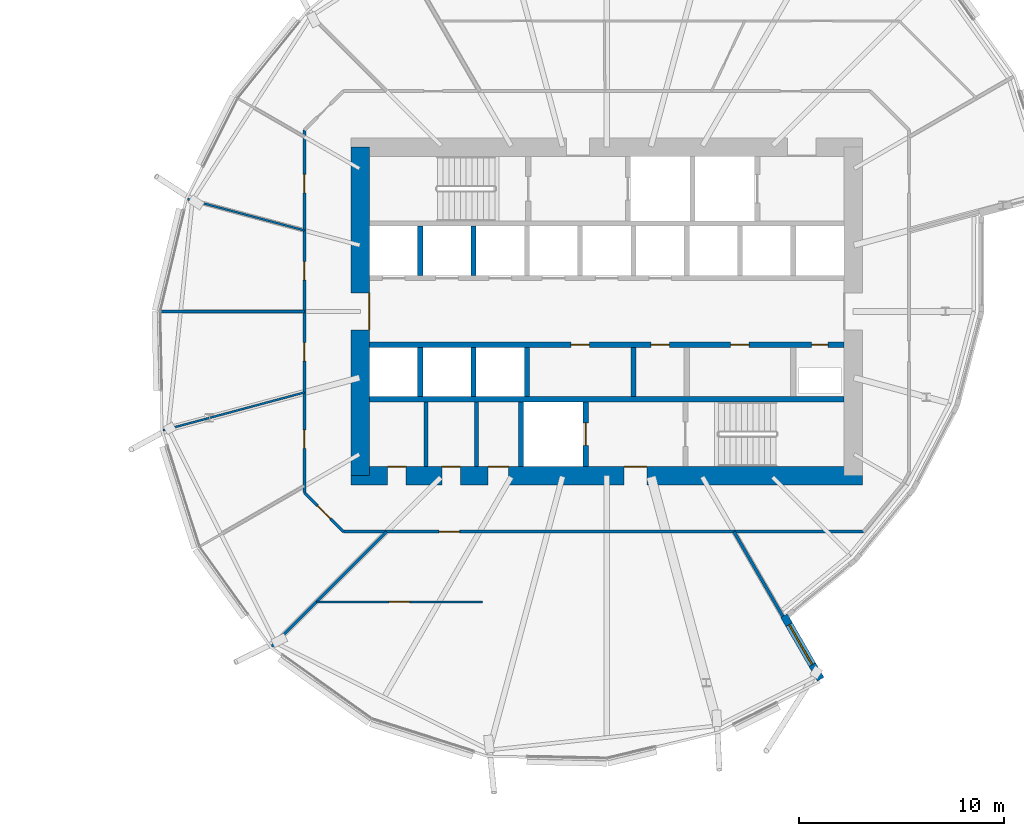
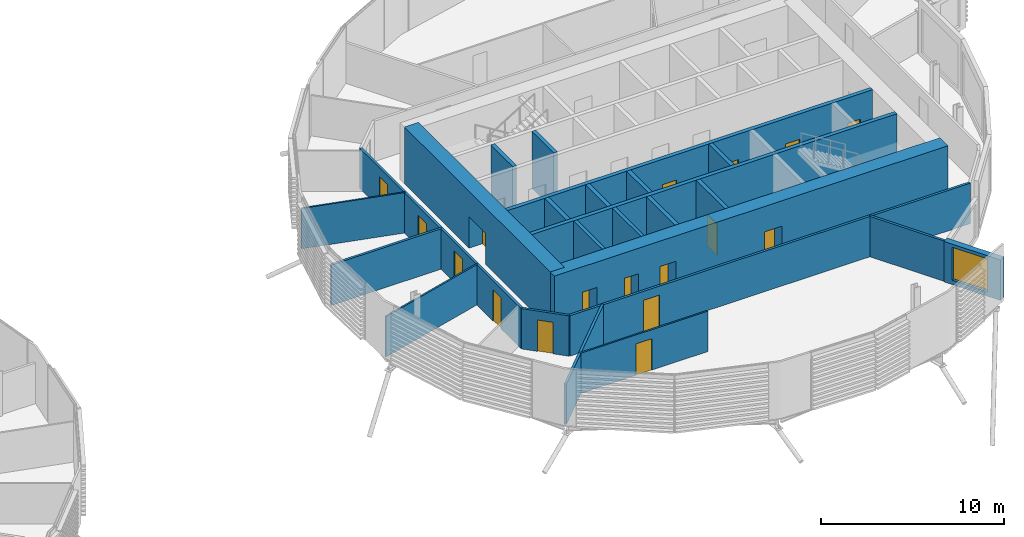
# One storey, part 24 of 38: 24 walls, 17 doors, 1 window, 18 openings.
"""IFC4 building model written with IfcOpenShell, lengths in metres."""

from ifc_helpers import new_model, si_unit, direction, frame, frame_2d, origin, place, context, subcontext, project, spatial, rectangle, extrude, material, layer, layer_set, type_object, element, fill, save


model = new_model("IFC4")

# Units and contexts
model_context = context("Model", 3, precision=1e-05, world=origin(), true_north=direction((0.0, 1.0)))
body_context = subcontext(model_context, "Body", "Model", "MODEL_VIEW")
ifc_project = project(units=[si_unit("LENGTHUNIT", "METRE"), si_unit("AREAUNIT", "SQUARE_METRE"), si_unit("VOLUMEUNIT", "CUBIC_METRE"), si_unit("PLANEANGLEUNIT", "RADIAN"), si_unit("MASSUNIT", "GRAM", prefix="KILO")], contexts=[model_context])

# Site, building, storey
site_placement = place(None, origin())
site = spatial("IfcSite", under=ifc_project, at=site_placement, CompositionType="ELEMENT")
building_placement = place(site_placement, origin())
building = spatial("IfcBuilding", under=site, at=building_placement, Name="Rimbun Link Towers", CompositionType="ELEMENT")
storey_placement = place(building_placement, frame((0.0, 0.0, 56.60009765625)))
storey = spatial("IfcBuildingStorey", under=building, at=storey_placement, Name="L13", CompositionType="ELEMENT", Elevation=56.60009765625)

# Wall, opening, window
ifc_material_1 = material(Name="Dark enamelled glass spandrel on insulated aluminium backpan", Category="aluminium")
ifc_layer_1 = layer(ifc_material_1, 0.3701171875)
ifc_layer_set_1 = layer_set([ifc_layer_1], Name="CS dark enamelled spandrel wall 370")
wall_type_1 = type_object("IfcWallType", Name="CS dark enamelled spandrel wall 370", PredefinedType="STANDARD", material=ifc_layer_set_1)
wall_1_placement = place(storey_placement, frame((40.37646484375, -14.8115234375, 0.0), z_axis=(0.0, 0.0, 1.0), x_axis=(0.500011709085, -0.866018643436, 0.0)))
wall_1 = element("IfcWall", 1, at=wall_1_placement, inside=storey, type_object=wall_type_1, Name="Crease spandrel wall", PredefinedType="STANDARD", context=body_context, shape_type="SweptSolid", body=[
    extrude(rectangle(XDim=3.580078125, YDim=0.3701171875, at=frame_2d((1.7900390625, 0.0))), origin(), (0.0, 0.0, 1.0), 2.71142578125),
])
opening_1_placement = place(wall_1_placement, frame((0.509033203125, 0.0, 0.300048828125)))
opening_1 = element("IfcOpeningElement", 2, at=opening_1_placement, cuts=wall_1, Name="Opening WR22H220", PredefinedType="OPENING", context=body_context, shape_type="SweptSolid", body=[
    extrude(rectangle(XDim=2.25, YDim=2.199951171875, at=frame_2d((1.125, 1.10009765625))), frame((0.0, 0.195068359375, 0.0), z_axis=(0.0, -1.0, 0.0), x_axis=(1.0, 0.0, 0.0)), (0.0, 0.0, 1.0), 0.39013671875),
])
ifc_material_2 = material(Name="Aluminium framed fixed window, dark tinted low-e glass", Category="aluminium")
window_type = type_object("IfcWindowType", Name="WR ribbon window 2250X2200", PartitioningType="SINGLE_PANEL", PredefinedType="WINDOW", material=ifc_material_2)
window_placement = place(opening_1_placement, origin())
window = element("IfcWindow", 3, at=window_placement, inside=storey, type_object=window_type, Name="Crease ribbon window", OverallHeight=2.199951171875, OverallWidth=2.25, PartitioningType="SINGLE_PANEL", PredefinedType="WINDOW", context=body_context, shape_type="SweptSolid", body=[
    extrude(rectangle(XDim=2.25, YDim=2.199951171875, at=frame_2d((1.125, 1.10009765625))), frame((0.0, 0.030029296875, 0.0), z_axis=(0.0, -1.0, 0.0), x_axis=(1.0, 0.0, 0.0)), (0.0, 0.0, 1.0), 0.06005859375),
])
fill(opening_1, window)

# Walls
ifc_material_3 = material(Name="Masonry blockwork", Category="masonry")
ifc_layer_2 = layer(ifc_material_3, 0.199951171875)
ifc_layer_set_2 = layer_set([ifc_layer_2], Name="Core partition 200")
wall_type_2 = type_object("IfcWallType", Name="Core partition 200", PredefinedType="PARTITIONING", material=ifc_layer_set_2)
for number, where, z_axis, x_axis, name in (
    (4, (22.949951171875, -4.39990234375, 0.0), (0.0, 0.0, 1.0), (0.0, -1.0, 0.0), "L13 T2 core wall C1"),
    (5, (25.39990234375, -4.39990234375, 0.0), (0.0, 0.0, 1.0), (0.0, -1.0, 0.0), "L13 T2 core wall C2"),
):
    element("IfcWall", number, at=place(storey_placement, frame(where, z_axis=z_axis, x_axis=x_axis)), inside=storey, type_object=wall_type_2, Name=name, PredefinedType="PARTITIONING", context=body_context, shape_type="SweptSolid", body=[
        extrude(rectangle(XDim=3.150146484375, YDim=0.199951171875, at=frame_2d((1.5751953125, 0.0))), origin(), (0.0, 0.0, 1.0), 3.7998046875),
    ])

# Wall, openings, doors
ifc_material_4 = material(Name="Concrete C60/75", Category="concrete")
ifc_layer_3 = layer(ifc_material_4, 0.89990234375)
ifc_layer_set_3 = layer_set([ifc_layer_3], Name="Core shear wall 900")
wall_type_3 = type_object("IfcWallType", Name="Core shear wall 900", PredefinedType="SHEAR", material=ifc_layer_set_3)
wall_2_placement = place(storey_placement, frame((19.300048828125, -8.0, 0.0), z_axis=(0.0, 0.0, 1.0), x_axis=(1.0, 0.0, 0.0)))
wall_2 = element("IfcWall", 6, at=wall_2_placement, inside=storey, type_object=wall_type_3, Name="L13 T2 core wall S", PredefinedType="SHEAR", context=body_context, shape_type="SweptSolid", body=[
    extrude(rectangle(XDim=24.89990234375, YDim=0.89990234375, at=frame_2d((12.449951171875, 0.0))), origin(), (0.0, 0.0, 1.0), 3.7998046875),
])
opening_2_placement = place(wall_2_placement, frame((13.300048828125, 0.0, 0.0)))
opening_2 = element("IfcOpeningElement", 7, at=opening_2_placement, cuts=wall_2, Name="Opening C2DCF01S", PredefinedType="OPENING", context=body_context, shape_type="SweptSolid", body=[
    extrude(rectangle(XDim=1.10009765625, YDim=2.10009765625, at=frame_2d((0.550048828125, 1.050048828125))), frame((0.0, 0.4599609375, 0.0), z_axis=(0.0, -1.0, 0.0), x_axis=(1.0, 0.0, 0.0)), (0.0, 0.0, 1.0), 0.919921875),
])
opening_3_placement = place(wall_2_placement, frame((1.77490234375, 0.0, 0.0)))
opening_3 = element("IfcOpeningElement", 8, at=opening_3_placement, cuts=wall_2, Name="Opening C2DWC02S", PredefinedType="OPENING", context=body_context, shape_type="SweptSolid", body=[
    extrude(rectangle(XDim=0.89990234375, YDim=2.10009765625, at=frame_2d((0.449951171875, 1.050048828125))), frame((0.0, 0.4599609375, 0.0), z_axis=(0.0, -1.0, 0.0), x_axis=(1.0, 0.0, 0.0)), (0.0, 0.0, 1.0), 0.919921875),
])
opening_4_placement = place(wall_2_placement, frame((4.425048828125, 0.0, 0.0)))
opening_4 = element("IfcOpeningElement", 9, at=opening_4_placement, cuts=wall_2, Name="Opening C2DWC03S", PredefinedType="OPENING", context=body_context, shape_type="SweptSolid", body=[
    extrude(rectangle(XDim=0.89990234375, YDim=2.10009765625, at=frame_2d((0.449951171875, 1.050048828125))), frame((0.0, 0.4599609375, 0.0), z_axis=(0.0, -1.0, 0.0), x_axis=(1.0, 0.0, 0.0)), (0.0, 0.0, 1.0), 0.919921875),
])
opening_5_placement = place(wall_2_placement, frame((6.675048828125, 0.0, 0.0)))
opening_5 = element("IfcOpeningElement", 10, at=opening_5_placement, cuts=wall_2, Name="Opening C2DAW04S", PredefinedType="OPENING", context=body_context, shape_type="SweptSolid", body=[
    extrude(rectangle(XDim=1.0, YDim=2.10009765625, at=frame_2d((0.5, 1.050048828125))), frame((0.0, 0.4599609375, 0.0), z_axis=(0.0, -1.0, 0.0), x_axis=(1.0, 0.0, 0.0)), (0.0, 0.0, 1.0), 0.919921875),
])
ifc_material_5 = material(Name="Timber", Category="wood")
door_type_1 = type_object("IfcDoorType", Name="Accessible WC door", OperationType="SINGLE_SWING_LEFT", PredefinedType="DOOR", material=ifc_material_5)
door_1_placement = place(opening_5_placement, origin())
door_1 = element("IfcDoor", 11, at=door_1_placement, inside=storey, type_object=door_type_1, Name="L13 T2 accessible wc door", OperationType="SINGLE_SWING_RIGHT", OverallHeight=2.10009765625, OverallWidth=1.0, PredefinedType="DOOR", context=body_context, shape_type="SweptSolid", body=[
    extrude(rectangle(XDim=1.0, YDim=2.10009765625, at=frame_2d((0.5, 1.050048828125))), frame((0.0, 0.4501953125, 0.0), z_axis=(0.0, -1.0, 0.0), x_axis=(1.0, 0.0, 0.0)), (0.0, 0.0, 1.0), 0.050048828125),
])
fill(opening_5, door_1)
ifc_material_6 = material(Name="Steel fire door set", Category="steel")
door_type_2 = type_object("IfcDoorType", Name="Core fire door single", OperationType="SINGLE_SWING_LEFT", PredefinedType="DOOR", material=ifc_material_6)
door_2_placement = place(opening_2_placement, origin())
door_2 = element("IfcDoor", 12, at=door_2_placement, inside=storey, type_object=door_type_2, Name="L13 T2 firefighting lobby s door", OperationType="SINGLE_SWING_RIGHT", OverallHeight=2.10009765625, OverallWidth=1.10009765625, PredefinedType="DOOR", context=body_context, shape_type="SweptSolid", body=[
    extrude(rectangle(XDim=1.10009765625, YDim=2.10009765625, at=frame_2d((0.550048828125, 1.050048828125))), frame((0.0, 0.4501953125, 0.0), z_axis=(0.0, -1.0, 0.0), x_axis=(1.0, 0.0, 0.0)), (0.0, 0.0, 1.0), 0.050048828125),
])
fill(opening_2, door_2)
ifc_material_7 = material(Name="Timber", Category="wood")
door_type_3 = type_object("IfcDoorType", Name="WC door", OperationType="SINGLE_SWING_LEFT", PredefinedType="DOOR", material=ifc_material_7)
door_3_placement = place(opening_3_placement, origin())
door_3 = element("IfcDoor", 13, at=door_3_placement, inside=storey, type_object=door_type_3, Name="L13 T2 male wc door", OperationType="SINGLE_SWING_RIGHT", OverallHeight=2.10009765625, OverallWidth=0.89990234375, PredefinedType="DOOR", context=body_context, shape_type="SweptSolid", body=[
    extrude(rectangle(XDim=0.89990234375, YDim=2.10009765625, at=frame_2d((0.449951171875, 1.050048828125))), frame((0.0, 0.4501953125, 0.0), z_axis=(0.0, -1.0, 0.0), x_axis=(1.0, 0.0, 0.0)), (0.0, 0.0, 1.0), 0.050048828125),
])
fill(opening_3, door_3)
door_4_placement = place(opening_4_placement, origin())
door_4 = element("IfcDoor", 14, at=door_4_placement, inside=storey, type_object=door_type_3, Name="L13 T2 female wc door", OperationType="SINGLE_SWING_LEFT", OverallHeight=2.10009765625, OverallWidth=0.89990234375, PredefinedType="DOOR", context=body_context, shape_type="SweptSolid", body=[
    extrude(rectangle(XDim=0.89990234375, YDim=2.10009765625, at=frame_2d((0.449951171875, 1.050048828125))), frame((0.0, 0.4501953125, 0.0), z_axis=(0.0, -1.0, 0.0), x_axis=(1.0, 0.0, 0.0)), (0.0, 0.0, 1.0), 0.050048828125),
])
fill(opening_4, door_4)

# Wall, opening, door
wall_3_placement = place(storey_placement, frame((19.75, -8.0, 0.0), z_axis=(0.0, 0.0, 1.0), x_axis=(0.0, 1.0, 0.0)))
wall_3 = element("IfcWall", 15, at=wall_3_placement, inside=storey, type_object=wall_type_3, Name="L13 T2 core wall W", PredefinedType="SHEAR", context=body_context, shape_type="SweptSolid", body=[
    extrude(rectangle(XDim=16.0, YDim=0.89990234375, at=frame_2d((8.0, 0.0))), origin(), (0.0, 0.0, 1.0), 3.7998046875),
])
opening_6_placement = place(wall_3_placement, frame((7.10009765625, 0.0, 0.0)))
opening_6 = element("IfcOpeningElement", 16, at=opening_6_placement, cuts=wall_3, Name="Opening C2DCL01W", PredefinedType="OPENING", context=body_context, shape_type="SweptSolid", body=[
    extrude(rectangle(XDim=1.800048828125, YDim=2.10009765625, at=frame_2d((0.89990234375, 1.050048828125))), frame((0.0, 0.4599609375, 0.0), z_axis=(0.0, -1.0, 0.0), x_axis=(1.0, 0.0, 0.0)), (0.0, 0.0, 1.0), 0.919921875),
])
ifc_material_8 = material(Name="Steel fire door set", Category="steel")
door_type_4 = type_object("IfcDoorType", Name="Core lobby door double", OperationType="DOUBLE_DOOR_SINGLE_SWING", PredefinedType="DOOR", material=ifc_material_8)
door_5_placement = place(opening_6_placement, origin())
door_5 = element("IfcDoor", 17, at=door_5_placement, inside=storey, type_object=door_type_4, Name="L13 T2 lift lobby door", OperationType="DOUBLE_DOOR_SINGLE_SWING", OverallHeight=2.10009765625, OverallWidth=1.800048828125, PredefinedType="DOOR", context=body_context, shape_type="SweptSolid", body=[
    extrude(rectangle(XDim=1.800048828125, YDim=2.10009765625, at=frame_2d((0.89990234375, 1.050048828125))), frame((0.0, -0.39990234375, 0.0), z_axis=(0.0, -1.0, 0.0), x_axis=(1.0, 0.0, 0.0)), (0.0, 0.0, 1.0), 0.050048828125),
])
fill(opening_6, door_5)

ifc_material_9 = material(Name="Plasterboard on steel stud, mineral wool", Category="steel")
ifc_layer_4 = layer(ifc_material_9, 0.14990234375)
ifc_layer_set_4 = layer_set([ifc_layer_4], Name="Corridor wall EI 30 150 mm")
wall_type_4 = type_object("IfcWallType", Name="Corridor wall EI 30 150 mm", PredefinedType="PARTITIONING", material=ifc_layer_set_4)
wall_4_placement = place(storey_placement, frame((44.248779296875, -10.72509765625, 0.0), z_axis=(0.0, 0.0, 1.0), x_axis=(-1.0, 0.0, 0.0)))
wall_4 = element("IfcWall", 18, at=wall_4_placement, inside=storey, type_object=wall_type_4, Name="Corridor wall EI 30 150 mm", PredefinedType="PARTITIONING", context=body_context, shape_type="SweptSolid", body=[
    extrude(rectangle(XDim=25.325439453125, YDim=0.14990234375, at=frame_2d((12.66259765625, 0.0))), origin(), (0.0, 0.0, 1.0), 2.701904296875),
])
opening_7_placement = place(wall_4_placement, frame((19.66845703125, 0.0, 0.0)))
opening_7 = element("IfcOpeningElement", 19, at=opening_7_placement, cuts=wall_4, Name="Opening D01", PredefinedType="OPENING", context=body_context, shape_type="SweptSolid", body=[
    extrude(rectangle(XDim=1.0, YDim=2.10009765625, at=frame_2d((0.5, 1.050048828125))), frame((0.0, 0.0849609375, 0.0), z_axis=(0.0, -1.0, 0.0), x_axis=(1.0, 0.0, 0.0)), (0.0, 0.0, 1.0), 0.169921875),
])
ifc_material_10 = material(Name="Fire-resisting timber door leaf", Category="wood")
door_type_5 = type_object("IfcDoorType", Name="Fire door FD30S 1000", OperationType="NOTDEFINED", PredefinedType="DOOR", material=ifc_material_10)
door_6_placement = place(opening_7_placement, origin())
door_6 = element("IfcDoor", 20, at=door_6_placement, inside=storey, type_object=door_type_5, Name="Fire door FD30S 1000 to Reception", OperationType="SINGLE_SWING_RIGHT", OverallHeight=2.10009765625, OverallWidth=1.0, PredefinedType="DOOR", context=body_context, shape_type="SweptSolid", body=[
    extrude(rectangle(XDim=1.0, YDim=2.10009765625, at=frame_2d((0.5, 1.050048828125))), frame((0.0, 0.02490234375, 0.0), z_axis=(0.0, -1.0, 0.0), x_axis=(1.0, 0.0, 0.0)), (0.0, 0.0, 1.0), 0.050048828125),
])
fill(opening_7, door_6)

wall_5_placement = place(storey_placement, frame((18.92333984375, -10.72509765625, 0.0), z_axis=(0.0, 0.0, 1.0), x_axis=(-0.707106781187, 0.707106781187, 0.0)))
wall_5 = element("IfcWall", 21, at=wall_5_placement, inside=storey, type_object=wall_type_4, Name="Corridor wall EI 30 150 mm", PredefinedType="PARTITIONING", context=body_context, shape_type="SweptSolid", body=[
    extrude(rectangle(XDim=2.684814453125, YDim=0.14990234375, at=frame_2d((1.34228515625, 0.0))), origin(), (0.0, 0.0, 1.0), 2.701904296875),
])
opening_8_placement = place(wall_5_placement, frame((0.892333984375, 0.0, 0.0)))
opening_8 = element("IfcOpeningElement", 22, at=opening_8_placement, cuts=wall_5, Name="Opening D02", PredefinedType="OPENING", context=body_context, shape_type="SweptSolid", body=[
    extrude(rectangle(XDim=0.89990234375, YDim=2.10009765625, at=frame_2d((0.449951171875, 1.050048828125))), frame((0.0, 0.0849609375, 0.0), z_axis=(0.0, -1.0, 0.0), x_axis=(1.0, 0.0, 0.0)), (0.0, 0.0, 1.0), 0.169921875),
])
ifc_material_11 = material(Name="Fire-resisting timber door leaf", Category="wood")
door_type_6 = type_object("IfcDoorType", Name="Fire door FD30S 900", OperationType="NOTDEFINED", PredefinedType="DOOR", material=ifc_material_11)
door_7_placement = place(opening_8_placement, origin())
door_7 = element("IfcDoor", 23, at=door_7_placement, inside=storey, type_object=door_type_6, Name="Fire door FD30S 900 to Meeting room", OperationType="SINGLE_SWING_LEFT", OverallHeight=2.10009765625, OverallWidth=0.89990234375, PredefinedType="DOOR", context=body_context, shape_type="SweptSolid", body=[
    extrude(rectangle(XDim=0.89990234375, YDim=2.10009765625, at=frame_2d((0.449951171875, 1.050048828125))), frame((0.0, 0.02490234375, 0.0), z_axis=(0.0, -1.0, 0.0), x_axis=(1.0, 0.0, 0.0)), (0.0, 0.0, 1.0), 0.050048828125),
])
fill(opening_8, door_7)

# Wall, openings, doors
wall_6_placement = place(storey_placement, frame((17.02490234375, -8.82666015625, 0.0), z_axis=(0.0, 0.0, 1.0), x_axis=(0.0, 1.0, 0.0)))
wall_6 = element("IfcWall", 24, at=wall_6_placement, inside=storey, type_object=wall_type_4, Name="Corridor wall EI 30 150 mm", PredefinedType="PARTITIONING", context=body_context, shape_type="SweptSolid", body=[
    extrude(rectangle(XDim=17.6533203125, YDim=0.14990234375, at=frame_2d((8.82666015625, 0.0))), origin(), (0.0, 0.0, 1.0), 2.701904296875),
])
opening_9_placement = place(wall_6_placement, frame((14.60009765625, 0.0, 0.0)))
opening_9 = element("IfcOpeningElement", 25, at=opening_9_placement, cuts=wall_6, Name="Opening D02", PredefinedType="OPENING", context=body_context, shape_type="SweptSolid", body=[
    extrude(rectangle(XDim=0.89990234375, YDim=2.10009765625, at=frame_2d((0.449951171875, 1.050048828125))), frame((0.0, 0.0849609375, 0.0), z_axis=(0.0, -1.0, 0.0), x_axis=(1.0, 0.0, 0.0)), (0.0, 0.0, 1.0), 0.169921875),
])
opening_10_placement = place(wall_6_placement, frame((10.349609375, 0.0, 0.0)))
opening_10 = element("IfcOpeningElement", 26, at=opening_10_placement, cuts=wall_6, Name="Opening D02", PredefinedType="OPENING", context=body_context, shape_type="SweptSolid", body=[
    extrude(rectangle(XDim=0.89990234375, YDim=2.10009765625, at=frame_2d((0.449951171875, 1.050048828125))), frame((0.0, 0.0849609375, 0.0), z_axis=(0.0, -1.0, 0.0), x_axis=(1.0, 0.0, 0.0)), (0.0, 0.0, 1.0), 0.169921875),
])
opening_11_placement = place(wall_6_placement, frame((6.40380859375, 0.0, 0.0)))
opening_11 = element("IfcOpeningElement", 27, at=opening_11_placement, cuts=wall_6, Name="Opening D02", PredefinedType="OPENING", context=body_context, shape_type="SweptSolid", body=[
    extrude(rectangle(XDim=0.89990234375, YDim=2.10009765625, at=frame_2d((0.449951171875, 1.050048828125))), frame((0.0, 0.0849609375, 0.0), z_axis=(0.0, -1.0, 0.0), x_axis=(1.0, 0.0, 0.0)), (0.0, 0.0, 1.0), 0.169921875),
])
opening_12_placement = place(wall_6_placement, frame((2.1533203125, 0.0, 0.0)))
opening_12 = element("IfcOpeningElement", 28, at=opening_12_placement, cuts=wall_6, Name="Opening D02", PredefinedType="OPENING", context=body_context, shape_type="SweptSolid", body=[
    extrude(rectangle(XDim=0.89990234375, YDim=2.10009765625, at=frame_2d((0.449951171875, 1.050048828125))), frame((0.0, 0.0849609375, 0.0), z_axis=(0.0, -1.0, 0.0), x_axis=(1.0, 0.0, 0.0)), (0.0, 0.0, 1.0), 0.169921875),
])
door_8_placement = place(opening_9_placement, origin())
door_8 = element("IfcDoor", 29, at=door_8_placement, inside=storey, type_object=door_type_6, Name="Fire door FD30S 900 to Cellular office", OperationType="SINGLE_SWING_LEFT", OverallHeight=2.10009765625, OverallWidth=0.89990234375, PredefinedType="DOOR", context=body_context, shape_type="SweptSolid", body=[
    extrude(rectangle(XDim=0.89990234375, YDim=2.10009765625, at=frame_2d((0.449951171875, 1.050048828125))), frame((0.0, 0.02490234375, 0.0), z_axis=(0.0, -1.0, 0.0), x_axis=(1.0, 0.0, 0.0)), (0.0, 0.0, 1.0), 0.050048828125),
])
fill(opening_9, door_8)
door_9_placement = place(opening_10_placement, origin())
door_9 = element("IfcDoor", 30, at=door_9_placement, inside=storey, type_object=door_type_6, Name="Fire door FD30S 900 to Meeting room", OperationType="SINGLE_SWING_RIGHT", OverallHeight=2.10009765625, OverallWidth=0.89990234375, PredefinedType="DOOR", context=body_context, shape_type="SweptSolid", body=[
    extrude(rectangle(XDim=0.89990234375, YDim=2.10009765625, at=frame_2d((0.449951171875, 1.050048828125))), frame((0.0, 0.02490234375, 0.0), z_axis=(0.0, -1.0, 0.0), x_axis=(1.0, 0.0, 0.0)), (0.0, 0.0, 1.0), 0.050048828125),
])
fill(opening_10, door_9)
door_10_placement = place(opening_11_placement, origin())
door_10 = element("IfcDoor", 31, at=door_10_placement, inside=storey, type_object=door_type_6, Name="Fire door FD30S 900 to Cellular office", OperationType="SINGLE_SWING_LEFT", OverallHeight=2.10009765625, OverallWidth=0.89990234375, PredefinedType="DOOR", context=body_context, shape_type="SweptSolid", body=[
    extrude(rectangle(XDim=0.89990234375, YDim=2.10009765625, at=frame_2d((0.449951171875, 1.050048828125))), frame((0.0, 0.02490234375, 0.0), z_axis=(0.0, -1.0, 0.0), x_axis=(1.0, 0.0, 0.0)), (0.0, 0.0, 1.0), 0.050048828125),
])
fill(opening_11, door_10)
door_11_placement = place(opening_12_placement, origin())
door_11 = element("IfcDoor", 32, at=door_11_placement, inside=storey, type_object=door_type_6, Name="Fire door FD30S 900 to Meeting room", OperationType="SINGLE_SWING_RIGHT", OverallHeight=2.10009765625, OverallWidth=0.89990234375, PredefinedType="DOOR", context=body_context, shape_type="SweptSolid", body=[
    extrude(rectangle(XDim=0.89990234375, YDim=2.10009765625, at=frame_2d((0.449951171875, 1.050048828125))), frame((0.0, 0.02490234375, 0.0), z_axis=(0.0, -1.0, 0.0), x_axis=(1.0, 0.0, 0.0)), (0.0, 0.0, 1.0), 0.050048828125),
])
fill(opening_12, door_11)

# Walls
ifc_material_12 = material(Name="Plasterboard on steel stud", Category="steel")
ifc_layer_5 = layer(ifc_material_12, 0.10009765625)
ifc_layer_set_5 = layer_set([ifc_layer_5], Name="Plasterboard partition 100 mm")
wall_type_5 = type_object("IfcWallType", Name="Plasterboard partition 100 mm", PredefinedType="PARTITIONING", material=ifc_layer_set_5)
wall_7_placement = place(storey_placement, frame((11.328369140625, 5.471923828125, 0.0), z_axis=(0.0, 0.0, 1.0), x_axis=(0.965926431796, -0.258816785308, 0.0)))
element("IfcWall", 33, at=wall_7_placement, inside=storey, type_object=wall_type_5, Name="Plasterboard partition 100 mm", PredefinedType="PARTITIONING", context=body_context, shape_type="SweptSolid", body=[
    extrude(rectangle(XDim=5.8974609375, YDim=0.10009765625, at=frame_2d((2.94873046875, 0.0))), origin(), (0.0, 0.0, 1.0), 2.701904296875),
])
wall_8_placement = place(storey_placement, frame((10.1416015625, -5.789794921875, 0.0), z_axis=(0.0, 0.0, 1.0), x_axis=(0.965930618531, 0.258801159551, 0.0)))
element("IfcWall", 34, at=wall_8_placement, inside=storey, type_object=wall_type_5, Name="Plasterboard partition 100 mm", PredefinedType="PARTITIONING", context=body_context, shape_type="SweptSolid", body=[
    extrude(rectangle(XDim=7.1259765625, YDim=0.10009765625, at=frame_2d((3.56298828125, 0.0))), origin(), (0.0, 0.0, 1.0), 2.701904296875),
])

# Wall, opening, door
wall_9_placement = place(storey_placement, frame((25.697021484375, -14.14501953125, 0.0), z_axis=(0.0, 0.0, 1.0), x_axis=(-1.0, 0.0, 0.0)))
wall_9 = element("IfcWall", 35, at=wall_9_placement, inside=storey, type_object=wall_type_5, Name="Plasterboard partition 100 mm", PredefinedType="PARTITIONING", context=body_context, shape_type="SweptSolid", body=[
    extrude(rectangle(XDim=8.092041015625, YDim=0.10009765625, at=frame_2d((4.0458984375, 0.0))), origin(), (0.0, 0.0, 1.0), 2.701904296875),
])
opening_13_placement = place(wall_9_placement, frame((3.5458984375, 0.0, 0.0)))
opening_13 = element("IfcOpeningElement", 36, at=opening_13_placement, cuts=wall_9, Name="Opening D03", PredefinedType="OPENING", context=body_context, shape_type="SweptSolid", body=[
    extrude(rectangle(XDim=1.0, YDim=2.10009765625, at=frame_2d((0.5, 1.050048828125))), frame((0.0, 0.06005859375, 0.0), z_axis=(0.0, -1.0, 0.0), x_axis=(1.0, 0.0, 0.0)), (0.0, 0.0, 1.0), 0.1201171875),
])
ifc_material_13 = material(Name="Timber door leaf", Category="wood")
door_type_7 = type_object("IfcDoorType", Name="Flush door 1000", OperationType="NOTDEFINED", PredefinedType="DOOR", material=ifc_material_13)
door_12_placement = place(opening_13_placement, origin())
door_12 = element("IfcDoor", 37, at=door_12_placement, inside=storey, type_object=door_type_7, Name="Flush door 1000 to Open office", OperationType="SINGLE_SWING_RIGHT", OverallHeight=2.10009765625, OverallWidth=1.0, PredefinedType="DOOR", context=body_context, shape_type="SweptSolid", body=[
    extrude(rectangle(XDim=1.0, YDim=2.10009765625, at=frame_2d((0.5, 1.050048828125))), frame((0.0, 0.02490234375, 0.0), z_axis=(0.0, -1.0, 0.0), x_axis=(1.0, 0.0, 0.0)), (0.0, 0.0, 1.0), 0.050048828125),
])
fill(opening_13, door_12)

# Wall
ifc_material_14 = material(Name="Concrete C60/75", Category="concrete")
ifc_layer_6 = layer(ifc_material_14, 0.25)
ifc_layer_set_6 = layer_set([ifc_layer_6], Name="Shaft wall 250")
wall_type_6 = type_object("IfcWallType", Name="Shaft wall 250", PredefinedType="SHEAR", material=ifc_layer_set_6)
wall_10_placement = place(storey_placement, frame((20.199951171875, -4.27490234375, 0.0), z_axis=(0.0, 0.0, 1.0), x_axis=(1.0, 0.0, 0.0)))
element("IfcWall", 38, at=wall_10_placement, inside=storey, type_object=wall_type_6, Name="L13 T2 core wall BS", PredefinedType="SHEAR", context=body_context, shape_type="SweptSolid", body=[
    extrude(rectangle(XDim=23.10009765625, YDim=0.25, at=frame_2d((11.550048828125, 0.0))), origin(), (0.0, 0.0, 1.0), 3.7998046875),
])

# Wall, openings, doors
wall_11_placement = place(storey_placement, frame((20.199951171875, -1.625, 0.0), z_axis=(0.0, 0.0, 1.0), x_axis=(1.0, 0.0, 0.0)))
wall_11 = element("IfcWall", 39, at=wall_11_placement, inside=storey, type_object=wall_type_6, Name="L13 T2 core wall FS", PredefinedType="SHEAR", context=body_context, shape_type="SweptSolid", body=[
    extrude(rectangle(XDim=23.10009765625, YDim=0.25, at=frame_2d((11.550048828125, 0.0))), origin(), (0.0, 0.0, 1.0), 3.7998046875),
])
opening_14_placement = place(wall_11_placement, frame((9.802734375, 0.0, 0.0)))
opening_14 = element("IfcOpeningElement", 40, at=opening_14_placement, cuts=wall_11, Name="Opening C2DRS01FS", PredefinedType="OPENING", context=body_context, shape_type="SweptSolid", body=[
    extrude(rectangle(XDim=0.89990234375, YDim=2.10009765625, at=frame_2d((0.449951171875, 1.050048828125))), frame((0.0, 0.135009765625, 0.0), z_axis=(0.0, -1.0, 0.0), x_axis=(1.0, 0.0, 0.0)), (0.0, 0.0, 1.0), 0.27001953125),
])
opening_15_placement = place(wall_11_placement, frame((13.6943359375, 0.0, 0.0)))
opening_15 = element("IfcOpeningElement", 41, at=opening_15_placement, cuts=wall_11, Name="Opening C2DRS02FS", PredefinedType="OPENING", context=body_context, shape_type="SweptSolid", body=[
    extrude(rectangle(XDim=0.89990234375, YDim=2.10009765625, at=frame_2d((0.449951171875, 1.050048828125))), frame((0.0, 0.135009765625, 0.0), z_axis=(0.0, -1.0, 0.0), x_axis=(1.0, 0.0, 0.0)), (0.0, 0.0, 1.0), 0.27001953125),
])
opening_16_placement = place(wall_11_placement, frame((17.586181640625, 0.0, 0.0)))
opening_16 = element("IfcOpeningElement", 42, at=opening_16_placement, cuts=wall_11, Name="Opening C2DRS03FS", PredefinedType="OPENING", context=body_context, shape_type="SweptSolid", body=[
    extrude(rectangle(XDim=0.89990234375, YDim=2.10009765625, at=frame_2d((0.449951171875, 1.050048828125))), frame((0.0, 0.135009765625, 0.0), z_axis=(0.0, -1.0, 0.0), x_axis=(1.0, 0.0, 0.0)), (0.0, 0.0, 1.0), 0.27001953125),
])
opening_17_placement = place(wall_11_placement, frame((21.52783203125, 0.0, 0.0)))
opening_17 = element("IfcOpeningElement", 43, at=opening_17_placement, cuts=wall_11, Name="Opening C2DRA04FS", PredefinedType="OPENING", context=body_context, shape_type="SweptSolid", body=[
    extrude(rectangle(XDim=0.800048828125, YDim=2.10009765625, at=frame_2d((0.39990234375, 1.050048828125))), frame((0.0, 0.135009765625, 0.0), z_axis=(0.0, -1.0, 0.0), x_axis=(1.0, 0.0, 0.0)), (0.0, 0.0, 1.0), 0.27001953125),
])
ifc_material_15 = material(Name="Steel fire door set", Category="steel")
door_type_8 = type_object("IfcDoorType", Name="Core riser door", OperationType="SINGLE_SWING_LEFT", PredefinedType="DOOR", material=ifc_material_15)
door_13_placement = place(opening_14_placement, origin())
door_13 = element("IfcDoor", 44, at=door_13_placement, inside=storey, type_object=door_type_8, Name="L13 T2 mail room door", OperationType="SINGLE_SWING_RIGHT", OverallHeight=2.10009765625, OverallWidth=0.89990234375, PredefinedType="DOOR", context=body_context, shape_type="SweptSolid", body=[
    extrude(rectangle(XDim=0.89990234375, YDim=2.10009765625, at=frame_2d((0.449951171875, 1.050048828125))), frame((0.0, 0.02490234375, 0.0), z_axis=(0.0, -1.0, 0.0), x_axis=(1.0, 0.0, 0.0)), (0.0, 0.0, 1.0), 0.050048828125),
])
fill(opening_14, door_13)
door_14_placement = place(opening_15_placement, origin())
door_14 = element("IfcDoor", 45, at=door_14_placement, inside=storey, type_object=door_type_8, Name="L13 T2 it cupboard door", OperationType="SINGLE_SWING_LEFT", OverallHeight=2.10009765625, OverallWidth=0.89990234375, PredefinedType="DOOR", context=body_context, shape_type="SweptSolid", body=[
    extrude(rectangle(XDim=0.89990234375, YDim=2.10009765625, at=frame_2d((0.449951171875, 1.050048828125))), frame((0.0, 0.02490234375, 0.0), z_axis=(0.0, -1.0, 0.0), x_axis=(1.0, 0.0, 0.0)), (0.0, 0.0, 1.0), 0.050048828125),
])
fill(opening_15, door_14)
door_15_placement = place(opening_16_placement, origin())
door_15 = element("IfcDoor", 46, at=door_15_placement, inside=storey, type_object=door_type_8, Name="L13 T2 pantry door", OperationType="SINGLE_SWING_LEFT", OverallHeight=2.10009765625, OverallWidth=0.89990234375, PredefinedType="DOOR", context=body_context, shape_type="SweptSolid", body=[
    extrude(rectangle(XDim=0.89990234375, YDim=2.10009765625, at=frame_2d((0.449951171875, 1.050048828125))), frame((0.0, 0.02490234375, 0.0), z_axis=(0.0, -1.0, 0.0), x_axis=(1.0, 0.0, 0.0)), (0.0, 0.0, 1.0), 0.050048828125),
])
fill(opening_16, door_15)
ifc_material_16 = material(Name="Steel fire door set", Category="steel")
door_type_9 = type_object("IfcDoorType", Name="Riser access door 800 x 2100", OperationType="SINGLE_SWING_LEFT", PredefinedType="DOOR", material=ifc_material_16)
door_16_placement = place(opening_17_placement, origin())
door_16 = element("IfcDoor", 47, at=door_16_placement, inside=storey, type_object=door_type_9, Name="L13 T2 riser cupboard door", OperationType="SINGLE_SWING_LEFT", OverallHeight=2.10009765625, OverallWidth=0.800048828125, PredefinedType="DOOR", context=body_context, shape_type="SweptSolid", body=[
    extrude(rectangle(XDim=0.800048828125, YDim=2.10009765625, at=frame_2d((0.39990234375, 1.050048828125))), frame((0.0, 0.02490234375, 0.0), z_axis=(0.0, -1.0, 0.0), x_axis=(1.0, 0.0, 0.0)), (0.0, 0.0, 1.0), 0.050048828125),
])
fill(opening_17, door_16)

# Walls
for number, where, z_axis, x_axis, name in (
    (48, (22.66943359375, 1.75, 0.0), (0.0, 0.0, 1.0), (0.0, 1.0, 0.0), "L13 T2 core wall DN0"),
    (49, (25.263916015625, 1.75, 0.0), (0.0, 0.0, 1.0), (0.0, 1.0, 0.0), "L13 T2 core wall DN1"),
    (50, (22.66943359375, -4.14990234375, 0.0), (0.0, 0.0, 1.0), (0.0, 1.0, 0.0), "L13 T2 core wall DS0"),
    (51, (25.263916015625, -4.14990234375, 0.0), (0.0, 0.0, 1.0), (0.0, 1.0, 0.0), "L13 T2 core wall DS1"),
    (52, (27.8583984375, -4.14990234375, 0.0), (0.0, 0.0, 1.0), (0.0, 1.0, 0.0), "L13 T2 core wall DS2"),
    (53, (33.047119140625, -4.14990234375, 0.0), (0.0, 0.0, 1.0), (0.0, 1.0, 0.0), "L13 T2 core wall DS4"),
):
    element("IfcWall", number, at=place(storey_placement, frame(where, z_axis=z_axis, x_axis=x_axis)), inside=storey, type_object=wall_type_6, Name=name, PredefinedType="SHEAR", context=body_context, shape_type="SweptSolid", body=[
        extrude(rectangle(XDim=2.39990234375, YDim=0.25, at=frame_2d((1.199951171875, 0.0))), origin(), (0.0, 0.0, 1.0), 3.7998046875),
    ])

# Wall, opening, door
wall_12_placement = place(storey_placement, frame((30.72509765625, -4.39990234375, 0.0), z_axis=(0.0, 0.0, 1.0), x_axis=(0.0, -1.0, 0.0)))
wall_12 = element("IfcWall", 54, at=wall_12_placement, inside=storey, type_object=wall_type_6, Name="L13 T2 core wall B2", PredefinedType="SHEAR", context=body_context, shape_type="SweptSolid", body=[
    extrude(rectangle(XDim=3.150146484375, YDim=0.25, at=frame_2d((1.5751953125, 0.0))), origin(), (0.0, 0.0, 1.0), 3.7998046875),
])
opening_18_placement = place(wall_12_placement, frame((1.02490234375, 0.0, 0.0)))
opening_18 = element("IfcOpeningElement", 55, at=opening_18_placement, cuts=wall_12, Name="Opening LD-T2-FF2", PredefinedType="OPENING", context=body_context, shape_type="SweptSolid", body=[
    extrude(rectangle(XDim=1.10009765625, YDim=2.10009765625, at=frame_2d((0.550048828125, 1.050048828125))), frame((0.0, 0.135009765625, 0.0), z_axis=(0.0, -1.0, 0.0), x_axis=(1.0, 0.0, 0.0)), (0.0, 0.0, 1.0), 0.27001953125),
])
ifc_material_17 = material(Name="Stainless steel grade 316", Category="steel")
door_type_10 = type_object("IfcDoorType", Name="Lift landing door", OperationType="DOUBLE_DOOR_SLIDING", PredefinedType="DOOR", material=ifc_material_17)
door_17_placement = place(opening_18_placement, origin())
door_17 = element("IfcDoor", 56, at=door_17_placement, inside=storey, type_object=door_type_10, Name="L13 T2 lift FF2 landing door", OperationType="DOUBLE_DOOR_SLIDING", OverallHeight=2.10009765625, OverallWidth=1.10009765625, PredefinedType="DOOR", context=body_context, shape_type="SweptSolid", body=[
    extrude(rectangle(XDim=1.10009765625, YDim=2.10009765625, at=frame_2d((0.550048828125, 1.050048828125))), frame((0.0, 0.02490234375, 0.0), z_axis=(0.0, -1.0, 0.0), x_axis=(1.0, 0.0, 0.0)), (0.0, 0.0, 1.0), 0.050048828125),
])
fill(opening_18, door_17)

# Walls
wall_13_placement = place(storey_placement, frame((27.574951171875, -4.39990234375, 0.0), z_axis=(0.0, 0.0, 1.0), x_axis=(0.0, -1.0, 0.0)))
element("IfcWall", 57, at=wall_13_placement, inside=storey, type_object=wall_type_6, Name="L13 T2 core wall B3", PredefinedType="SHEAR", context=body_context, shape_type="SweptSolid", body=[
    extrude(rectangle(XDim=3.150146484375, YDim=0.25, at=frame_2d((1.5751953125, 0.0))), origin(), (0.0, 0.0, 1.0), 3.7998046875),
])
ifc_material_18 = material(Name="Plasterboard on steel stud, mineral wool", Category="steel")
ifc_layer_7 = layer(ifc_material_18, 0.14990234375)
ifc_layer_set_7 = layer_set([ifc_layer_7], Name="Tenancy separation wall EI 60 150 mm")
wall_type_7 = type_object("IfcWallType", Name="Tenancy separation wall EI 60 150 mm", PredefinedType="PARTITIONING", material=ifc_layer_set_7)
wall_14_placement = place(storey_placement, frame((17.02490234375, 0.0, 0.0), z_axis=(0.0, 0.0, 1.0), x_axis=(-1.0, 0.0, 0.0)))
element("IfcWall", 58, at=wall_14_placement, inside=storey, type_object=wall_type_7, Name="Tenancy separation wall EI 60 150 mm", PredefinedType="PARTITIONING", context=body_context, shape_type="SweptSolid", body=[
    extrude(rectangle(XDim=7.005126953125, YDim=0.14990234375, at=frame_2d((3.50244140625, 0.0))), origin(), (0.0, 0.0, 1.0), 2.701904296875),
])
wall_15_placement = place(storey_placement, frame((21.02490234375, -10.72509765625, 0.0), z_axis=(0.0, 0.0, 1.0), x_axis=(-0.707106781187, -0.707106781187, 0.0)))
element("IfcWall", 59, at=wall_15_placement, inside=storey, type_object=wall_type_7, Name="Tenancy separation wall EI 60 150 mm", PredefinedType="PARTITIONING", context=body_context, shape_type="SweptSolid", body=[
    extrude(rectangle(XDim=7.903564453125, YDim=0.14990234375, at=frame_2d((3.95166015625, 0.0))), origin(), (0.0, 0.0, 1.0), 2.701904296875),
])
wall_16_placement = place(storey_placement, frame((37.942138671875, -10.72509765625, 0.0), z_axis=(0.0, 0.0, 1.0), x_axis=(0.500020158073, -0.866013765203, 0.0)))
element("IfcWall", 60, at=wall_16_placement, inside=storey, type_object=wall_type_7, Name="Tenancy separation wall EI 60 150 mm", PredefinedType="PARTITIONING", context=body_context, shape_type="SweptSolid", body=[
    extrude(rectangle(XDim=4.756103515625, YDim=0.14990234375, at=frame_2d((2.3779296875, 0.0))), origin(), (0.0, 0.0, 1.0), 2.701904296875),
])

save(model, "model.ifc")
